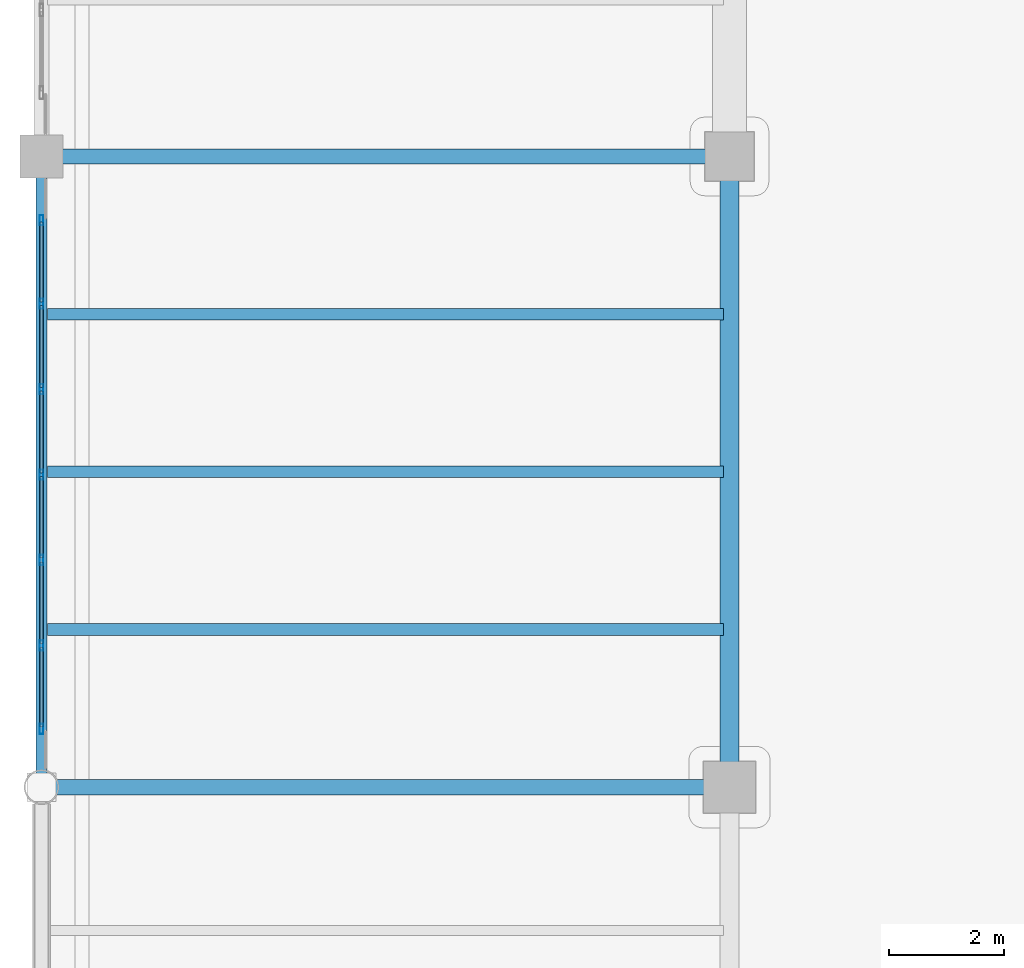
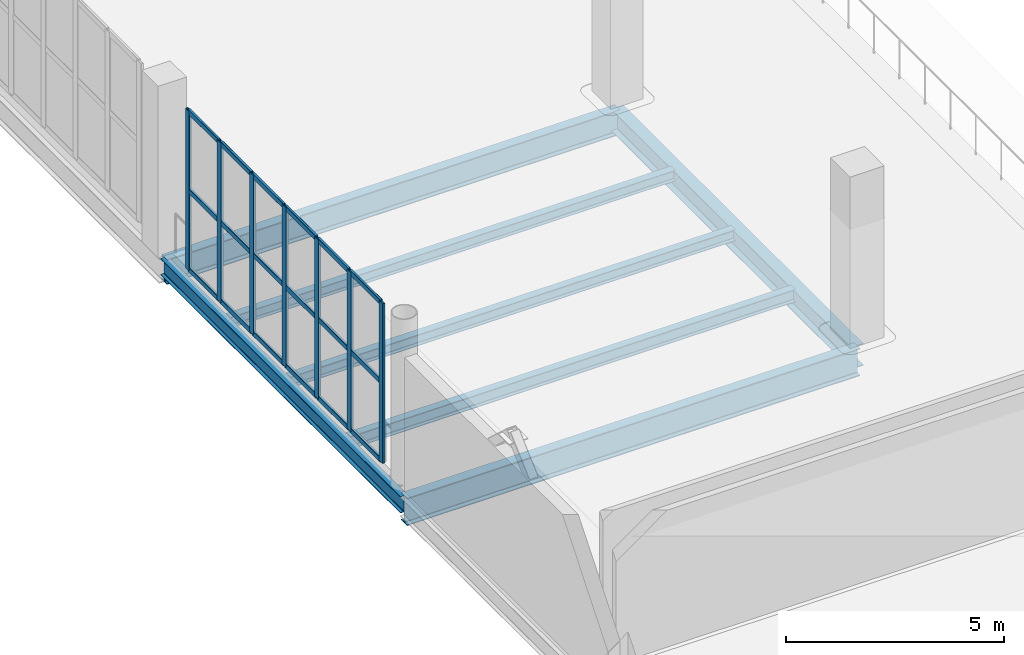
# One storey, part 21 of 136: 25 members, 7 beams, 1 element without a shape of its own.
"""IFC4 building model written with IfcOpenShell, lengths in metres."""

from ifc_helpers import new_model, si_unit, direction, frame, origin, origin_2d, place, context, subcontext, project, spatial, hollow_rectangle, i_section, extrude, material, layer, layer_set, material_profile, profile_set, type_object, element, aggregate, save


model = new_model("IFC4")

# Units and contexts
model_context = context("Model", 3, precision=1e-05, world=origin(), true_north=direction((0.0, 1.0)))
body_context = subcontext(model_context, "Body", "Model", "MODEL_VIEW")
ifc_project = project(units=[si_unit("LENGTHUNIT", "METRE"), si_unit("AREAUNIT", "SQUARE_METRE"), si_unit("VOLUMEUNIT", "CUBIC_METRE"), si_unit("PLANEANGLEUNIT", "RADIAN"), si_unit("MASSUNIT", "GRAM", prefix="KILO")], contexts=[model_context])

# Site, building, storey
site_placement = place(None, origin())
site = spatial("IfcSite", under=ifc_project, at=site_placement, CompositionType="ELEMENT")
building_placement = place(site_placement, origin())
building = spatial("IfcBuilding", under=site, at=building_placement, Name="Brinegate Civic Arena", CompositionType="ELEMENT")
storey_placement = place(building_placement, frame((0.0, 0.0, 5.39990234375)))
storey = spatial("IfcBuildingStorey", under=building, at=storey_placement, Name="L01", CompositionType="ELEMENT", Elevation=5.39990234375)

# Curtain wall, members
ifc_material_1 = material(Name="Marine grade aluminium", Category="aluminium")
ifc_layer = layer(ifc_material_1, 0.18505859375, Name="Marine grade aluminium")
ifc_layer_set = layer_set([ifc_layer], Name="Marine grade aluminium")
curtain_wall_type = type_object("IfcCurtainWallType", Name="CW-WING-GLAZED-03", PredefinedType="USERDEFINED", material=ifc_layer_set)
curtain_wall_placement = place(storey_placement, origin())
curtain_wall = element("IfcCurtainWall", 1, at=curtain_wall_placement, inside=storey, type_object=curtain_wall_type, Name="Curtain Wall CWA-012", ObjectType="GLAZED CURTAIN WALL", PredefinedType="USERDEFINED")
ifc_material_profile_1 = material_profile(ifc_material_1, hollow_rectangle(XDim=0.06494140625, YDim=0.179931640625, WallThickness=0.0048828125, InnerFilletRadius=0.00390625, OuterFilletRadius=0.008056640625, at=origin_2d()), Name="MUL65X180")
ifc_profile_set_1 = profile_set([ifc_material_profile_1], Name="Marine grade aluminium")
member_type_1 = type_object("IfcMemberType", Name="CW-MULLION-65X180", PredefinedType="MULLION", material=ifc_profile_set_1)
member_1_placement = place(storey_placement, frame((0.0, 21.013427734375, 0.0), z_axis=(0.0, 0.0, 1.0), x_axis=(-1.0, 0.0, 0.0)))
member_1 = element("IfcMember", 2, at=member_1_placement, type_object=member_type_1, Name="CWA-012 mullion 1", PredefinedType="MULLION", context=body_context, shape_type="SweptSolid", body=[
    extrude(hollow_rectangle(XDim=0.06494140625, YDim=0.179931640625, WallThickness=0.0048828125, InnerFilletRadius=0.00390625, OuterFilletRadius=0.008056640625, at=origin_2d()), origin(), (0.0, 0.0, 1.0), 4.47021484375),
])
member_2_placement = place(storey_placement, frame((0.0, 22.470947265625, 0.0), z_axis=(0.0, 0.0, 1.0), x_axis=(-1.0, 0.0, 0.0)))
member_2 = element("IfcMember", 3, at=member_2_placement, type_object=member_type_1, Name="CWA-012 mullion 2", PredefinedType="MULLION", context=body_context, shape_type="SweptSolid", body=[
    extrude(hollow_rectangle(XDim=0.06494140625, YDim=0.179931640625, WallThickness=0.0048828125, InnerFilletRadius=0.00390625, OuterFilletRadius=0.008056640625, at=origin_2d()), origin(), (0.0, 0.0, 1.0), 4.47021484375),
])
member_3_placement = place(storey_placement, frame((0.0, 23.960693359375, 0.0), z_axis=(0.0, 0.0, 1.0), x_axis=(-1.0, 0.0, 0.0)))
member_3 = element("IfcMember", 4, at=member_3_placement, type_object=member_type_1, Name="CWA-012 mullion 3", PredefinedType="MULLION", context=body_context, shape_type="SweptSolid", body=[
    extrude(hollow_rectangle(XDim=0.06494140625, YDim=0.179931640625, WallThickness=0.0048828125, InnerFilletRadius=0.00390625, OuterFilletRadius=0.008056640625, at=origin_2d()), origin(), (0.0, 0.0, 1.0), 4.47021484375),
])
member_4_placement = place(storey_placement, frame((0.0, 25.450439453125, 0.0), z_axis=(0.0, 0.0, 1.0), x_axis=(-1.0, 0.0, 0.0)))
member_4 = element("IfcMember", 5, at=member_4_placement, type_object=member_type_1, Name="CWA-012 mullion 4", PredefinedType="MULLION", context=body_context, shape_type="SweptSolid", body=[
    extrude(hollow_rectangle(XDim=0.06494140625, YDim=0.179931640625, WallThickness=0.0048828125, InnerFilletRadius=0.00390625, OuterFilletRadius=0.008056640625, at=origin_2d()), origin(), (0.0, 0.0, 1.0), 4.47021484375),
])
member_5_placement = place(storey_placement, frame((0.0, 26.9404296875, 0.0), z_axis=(0.0, 0.0, 1.0), x_axis=(-1.0, 0.0, 0.0)))
member_5 = element("IfcMember", 6, at=member_5_placement, type_object=member_type_1, Name="CWA-012 mullion 5", PredefinedType="MULLION", context=body_context, shape_type="SweptSolid", body=[
    extrude(hollow_rectangle(XDim=0.06494140625, YDim=0.179931640625, WallThickness=0.0048828125, InnerFilletRadius=0.00390625, OuterFilletRadius=0.008056640625, at=origin_2d()), origin(), (0.0, 0.0, 1.0), 4.47021484375),
])
member_6_placement = place(storey_placement, frame((0.0, 28.43017578125, 0.0), z_axis=(0.0, 0.0, 1.0), x_axis=(-1.0, 0.0, 0.0)))
member_6 = element("IfcMember", 7, at=member_6_placement, type_object=member_type_1, Name="CWA-012 mullion 6", PredefinedType="MULLION", context=body_context, shape_type="SweptSolid", body=[
    extrude(hollow_rectangle(XDim=0.06494140625, YDim=0.179931640625, WallThickness=0.0048828125, InnerFilletRadius=0.00390625, OuterFilletRadius=0.008056640625, at=origin_2d()), origin(), (0.0, 0.0, 1.0), 4.47021484375),
])
member_7_placement = place(storey_placement, frame((0.0, 29.887451171875, 0.0), z_axis=(0.0, 0.0, 1.0), x_axis=(-1.0, 0.0, 0.0)))
member_7 = element("IfcMember", 8, at=member_7_placement, type_object=member_type_1, Name="CWA-012 mullion 7", PredefinedType="MULLION", context=body_context, shape_type="SweptSolid", body=[
    extrude(hollow_rectangle(XDim=0.06494140625, YDim=0.179931640625, WallThickness=0.0048828125, InnerFilletRadius=0.00390625, OuterFilletRadius=0.008056640625, at=origin_2d()), origin(), (0.0, 0.0, 1.0), 4.47021484375),
])
ifc_material_profile_2 = material_profile(ifc_material_1, hollow_rectangle(XDim=0.06494140625, YDim=0.139892578125, WallThickness=0.0048828125, InnerFilletRadius=0.00390625, OuterFilletRadius=0.008056640625, at=origin_2d()), Name="TRN65X140")
ifc_profile_set_2 = profile_set([ifc_material_profile_2], Name="Marine grade aluminium")
member_type_2 = type_object("IfcMemberType", Name="CW-TRANSOM-65X140", PredefinedType="USERDEFINED", material=ifc_profile_set_2)
member_8_placement = place(storey_placement, frame((0.0, 21.0458984375, 0.03271484375), z_axis=(0.0, 1.0, 0.0), x_axis=(-1.0, 0.0, 0.0)))
member_8 = element("IfcMember", 9, at=member_8_placement, type_object=member_type_2, Name="CWA-012 transom 1.1", ObjectType="TRANSOM", PredefinedType="USERDEFINED", context=body_context, shape_type="SweptSolid", body=[
    extrude(hollow_rectangle(XDim=0.06494140625, YDim=0.139892578125, WallThickness=0.0048828125, InnerFilletRadius=0.00390625, OuterFilletRadius=0.008056640625, at=origin_2d()), origin(), (0.0, 0.0, 1.0), 1.392333984375),
])
member_9_placement = place(storey_placement, frame((0.0, 21.0458984375, 2.235107421875), z_axis=(0.0, 1.0, 0.0), x_axis=(-1.0, 0.0, 0.0)))
member_9 = element("IfcMember", 10, at=member_9_placement, type_object=member_type_2, Name="CWA-012 transom 1.2", ObjectType="TRANSOM", PredefinedType="USERDEFINED", context=body_context, shape_type="SweptSolid", body=[
    extrude(hollow_rectangle(XDim=0.06494140625, YDim=0.139892578125, WallThickness=0.0048828125, InnerFilletRadius=0.00390625, OuterFilletRadius=0.008056640625, at=origin_2d()), origin(), (0.0, 0.0, 1.0), 1.392333984375),
])
member_10_placement = place(storey_placement, frame((0.0, 21.0458984375, 4.4375), z_axis=(0.0, 1.0, 0.0), x_axis=(-1.0, 0.0, 0.0)))
member_10 = element("IfcMember", 11, at=member_10_placement, type_object=member_type_2, Name="CWA-012 transom 1.3", ObjectType="TRANSOM", PredefinedType="USERDEFINED", context=body_context, shape_type="SweptSolid", body=[
    extrude(hollow_rectangle(XDim=0.06494140625, YDim=0.139892578125, WallThickness=0.0048828125, InnerFilletRadius=0.00390625, OuterFilletRadius=0.008056640625, at=origin_2d()), origin(), (0.0, 0.0, 1.0), 1.392333984375),
])
member_11_placement = place(storey_placement, frame((0.0, 22.50341796875, 0.03271484375), z_axis=(0.0, 1.0, 0.0), x_axis=(-1.0, 0.0, 0.0)))
member_11 = element("IfcMember", 12, at=member_11_placement, type_object=member_type_2, Name="CWA-012 transom 2.1", ObjectType="TRANSOM", PredefinedType="USERDEFINED", context=body_context, shape_type="SweptSolid", body=[
    extrude(hollow_rectangle(XDim=0.06494140625, YDim=0.139892578125, WallThickness=0.0048828125, InnerFilletRadius=0.00390625, OuterFilletRadius=0.008056640625, at=origin_2d()), origin(), (0.0, 0.0, 1.0), 1.4248046875),
])
member_12_placement = place(storey_placement, frame((0.0, 22.50341796875, 2.235107421875), z_axis=(0.0, 1.0, 0.0), x_axis=(-1.0, 0.0, 0.0)))
member_12 = element("IfcMember", 13, at=member_12_placement, type_object=member_type_2, Name="CWA-012 transom 2.2", ObjectType="TRANSOM", PredefinedType="USERDEFINED", context=body_context, shape_type="SweptSolid", body=[
    extrude(hollow_rectangle(XDim=0.06494140625, YDim=0.139892578125, WallThickness=0.0048828125, InnerFilletRadius=0.00390625, OuterFilletRadius=0.008056640625, at=origin_2d()), origin(), (0.0, 0.0, 1.0), 1.4248046875),
])
member_13_placement = place(storey_placement, frame((0.0, 22.50341796875, 4.4375), z_axis=(0.0, 1.0, 0.0), x_axis=(-1.0, 0.0, 0.0)))
member_13 = element("IfcMember", 14, at=member_13_placement, type_object=member_type_2, Name="CWA-012 transom 2.3", ObjectType="TRANSOM", PredefinedType="USERDEFINED", context=body_context, shape_type="SweptSolid", body=[
    extrude(hollow_rectangle(XDim=0.06494140625, YDim=0.139892578125, WallThickness=0.0048828125, InnerFilletRadius=0.00390625, OuterFilletRadius=0.008056640625, at=origin_2d()), origin(), (0.0, 0.0, 1.0), 1.4248046875),
])
member_14_placement = place(storey_placement, frame((0.0, 23.9931640625, 0.03271484375), z_axis=(0.0, 1.0, 0.0), x_axis=(-1.0, 0.0, 0.0)))
member_14 = element("IfcMember", 15, at=member_14_placement, type_object=member_type_2, Name="CWA-012 transom 3.1", ObjectType="TRANSOM", PredefinedType="USERDEFINED", context=body_context, shape_type="SweptSolid", body=[
    extrude(hollow_rectangle(XDim=0.06494140625, YDim=0.139892578125, WallThickness=0.0048828125, InnerFilletRadius=0.00390625, OuterFilletRadius=0.008056640625, at=origin_2d()), origin(), (0.0, 0.0, 1.0), 1.4248046875),
])
member_15_placement = place(storey_placement, frame((0.0, 23.9931640625, 2.235107421875), z_axis=(0.0, 1.0, 0.0), x_axis=(-1.0, 0.0, 0.0)))
member_15 = element("IfcMember", 16, at=member_15_placement, type_object=member_type_2, Name="CWA-012 transom 3.2", ObjectType="TRANSOM", PredefinedType="USERDEFINED", context=body_context, shape_type="SweptSolid", body=[
    extrude(hollow_rectangle(XDim=0.06494140625, YDim=0.139892578125, WallThickness=0.0048828125, InnerFilletRadius=0.00390625, OuterFilletRadius=0.008056640625, at=origin_2d()), origin(), (0.0, 0.0, 1.0), 1.4248046875),
])
member_16_placement = place(storey_placement, frame((0.0, 23.9931640625, 4.4375), z_axis=(0.0, 1.0, 0.0), x_axis=(-1.0, 0.0, 0.0)))
member_16 = element("IfcMember", 17, at=member_16_placement, type_object=member_type_2, Name="CWA-012 transom 3.3", ObjectType="TRANSOM", PredefinedType="USERDEFINED", context=body_context, shape_type="SweptSolid", body=[
    extrude(hollow_rectangle(XDim=0.06494140625, YDim=0.139892578125, WallThickness=0.0048828125, InnerFilletRadius=0.00390625, OuterFilletRadius=0.008056640625, at=origin_2d()), origin(), (0.0, 0.0, 1.0), 1.4248046875),
])
member_17_placement = place(storey_placement, frame((0.0, 25.48291015625, 0.03271484375), z_axis=(0.0, 1.0, 0.0), x_axis=(-1.0, 0.0, 0.0)))
member_17 = element("IfcMember", 18, at=member_17_placement, type_object=member_type_2, Name="CWA-012 transom 4.1", ObjectType="TRANSOM", PredefinedType="USERDEFINED", context=body_context, shape_type="SweptSolid", body=[
    extrude(hollow_rectangle(XDim=0.06494140625, YDim=0.139892578125, WallThickness=0.0048828125, InnerFilletRadius=0.00390625, OuterFilletRadius=0.008056640625, at=origin_2d()), origin(), (0.0, 0.0, 1.0), 1.4248046875),
])
member_18_placement = place(storey_placement, frame((0.0, 25.48291015625, 2.235107421875), z_axis=(0.0, 1.0, 0.0), x_axis=(-1.0, 0.0, 0.0)))
member_18 = element("IfcMember", 19, at=member_18_placement, type_object=member_type_2, Name="CWA-012 transom 4.2", ObjectType="TRANSOM", PredefinedType="USERDEFINED", context=body_context, shape_type="SweptSolid", body=[
    extrude(hollow_rectangle(XDim=0.06494140625, YDim=0.139892578125, WallThickness=0.0048828125, InnerFilletRadius=0.00390625, OuterFilletRadius=0.008056640625, at=origin_2d()), origin(), (0.0, 0.0, 1.0), 1.4248046875),
])
member_19_placement = place(storey_placement, frame((0.0, 25.48291015625, 4.4375), z_axis=(0.0, 1.0, 0.0), x_axis=(-1.0, 0.0, 0.0)))
member_19 = element("IfcMember", 20, at=member_19_placement, type_object=member_type_2, Name="CWA-012 transom 4.3", ObjectType="TRANSOM", PredefinedType="USERDEFINED", context=body_context, shape_type="SweptSolid", body=[
    extrude(hollow_rectangle(XDim=0.06494140625, YDim=0.139892578125, WallThickness=0.0048828125, InnerFilletRadius=0.00390625, OuterFilletRadius=0.008056640625, at=origin_2d()), origin(), (0.0, 0.0, 1.0), 1.4248046875),
])
member_20_placement = place(storey_placement, frame((0.0, 26.972900390625, 0.03271484375), z_axis=(0.0, 1.0, 0.0), x_axis=(-1.0, 0.0, 0.0)))
member_20 = element("IfcMember", 21, at=member_20_placement, type_object=member_type_2, Name="CWA-012 transom 5.1", ObjectType="TRANSOM", PredefinedType="USERDEFINED", context=body_context, shape_type="SweptSolid", body=[
    extrude(hollow_rectangle(XDim=0.06494140625, YDim=0.139892578125, WallThickness=0.0048828125, InnerFilletRadius=0.00390625, OuterFilletRadius=0.008056640625, at=origin_2d()), origin(), (0.0, 0.0, 1.0), 1.4248046875),
])
member_21_placement = place(storey_placement, frame((0.0, 26.972900390625, 2.235107421875), z_axis=(0.0, 1.0, 0.0), x_axis=(-1.0, 0.0, 0.0)))
member_21 = element("IfcMember", 22, at=member_21_placement, type_object=member_type_2, Name="CWA-012 transom 5.2", ObjectType="TRANSOM", PredefinedType="USERDEFINED", context=body_context, shape_type="SweptSolid", body=[
    extrude(hollow_rectangle(XDim=0.06494140625, YDim=0.139892578125, WallThickness=0.0048828125, InnerFilletRadius=0.00390625, OuterFilletRadius=0.008056640625, at=origin_2d()), origin(), (0.0, 0.0, 1.0), 1.4248046875),
])
member_22_placement = place(storey_placement, frame((0.0, 26.972900390625, 4.4375), z_axis=(0.0, 1.0, 0.0), x_axis=(-1.0, 0.0, 0.0)))
member_22 = element("IfcMember", 23, at=member_22_placement, type_object=member_type_2, Name="CWA-012 transom 5.3", ObjectType="TRANSOM", PredefinedType="USERDEFINED", context=body_context, shape_type="SweptSolid", body=[
    extrude(hollow_rectangle(XDim=0.06494140625, YDim=0.139892578125, WallThickness=0.0048828125, InnerFilletRadius=0.00390625, OuterFilletRadius=0.008056640625, at=origin_2d()), origin(), (0.0, 0.0, 1.0), 1.4248046875),
])
member_23_placement = place(storey_placement, frame((0.0, 28.462646484375, 0.03271484375), z_axis=(0.0, 1.0, 0.0), x_axis=(-1.0, 0.0, 0.0)))
member_23 = element("IfcMember", 24, at=member_23_placement, type_object=member_type_2, Name="CWA-012 transom 6.1", ObjectType="TRANSOM", PredefinedType="USERDEFINED", context=body_context, shape_type="SweptSolid", body=[
    extrude(hollow_rectangle(XDim=0.06494140625, YDim=0.139892578125, WallThickness=0.0048828125, InnerFilletRadius=0.00390625, OuterFilletRadius=0.008056640625, at=origin_2d()), origin(), (0.0, 0.0, 1.0), 1.392333984375),
])
member_24_placement = place(storey_placement, frame((0.0, 28.462646484375, 2.235107421875), z_axis=(0.0, 1.0, 0.0), x_axis=(-1.0, 0.0, 0.0)))
member_24 = element("IfcMember", 25, at=member_24_placement, type_object=member_type_2, Name="CWA-012 transom 6.2", ObjectType="TRANSOM", PredefinedType="USERDEFINED", context=body_context, shape_type="SweptSolid", body=[
    extrude(hollow_rectangle(XDim=0.06494140625, YDim=0.139892578125, WallThickness=0.0048828125, InnerFilletRadius=0.00390625, OuterFilletRadius=0.008056640625, at=origin_2d()), origin(), (0.0, 0.0, 1.0), 1.392333984375),
])
member_25_placement = place(storey_placement, frame((0.0, 28.462646484375, 4.4375), z_axis=(0.0, 1.0, 0.0), x_axis=(-1.0, 0.0, 0.0)))
member_25 = element("IfcMember", 26, at=member_25_placement, type_object=member_type_2, Name="CWA-012 transom 6.3", ObjectType="TRANSOM", PredefinedType="USERDEFINED", context=body_context, shape_type="SweptSolid", body=[
    extrude(hollow_rectangle(XDim=0.06494140625, YDim=0.139892578125, WallThickness=0.0048828125, InnerFilletRadius=0.00390625, OuterFilletRadius=0.008056640625, at=origin_2d()), origin(), (0.0, 0.0, 1.0), 1.392333984375),
])
aggregate(curtain_wall, [member_1, member_2, member_3, member_4, member_5, member_6, member_7, member_8, member_9, member_10, member_11, member_12, member_13, member_14, member_15, member_16, member_17, member_18, member_19, member_20, member_21, member_22, member_23, member_24, member_25])

# Beams
ifc_material_2 = material(Name="Steel S355", Category="steel")
ifc_material_profile_3 = material_profile(ifc_material_2, i_section(OverallWidth=0.324951171875, OverallDepth=0.615966796875, WebThickness=0.013916015625, FlangeThickness=0.02197265625, FilletRadius=0.01611328125, at=origin_2d()), Name="W610X174")
ifc_profile_set_3 = profile_set([ifc_material_profile_3], Name="Steel S355")
beam_type_1 = type_object("IfcBeamType", Name="GIRDER-W610X174", PredefinedType="BEAM", material=ifc_profile_set_3)
beam_1_placement = place(storey_placement, frame((12.0, 20.0, -0.64794921875), z_axis=(0.0, 1.0, 0.0), x_axis=(-1.0, 0.0, 0.0)))
element("IfcBeam", 27, at=beam_1_placement, inside=storey, type_object=beam_type_1, Name="Floor Girder BM-L01-GY-01-02", PredefinedType="BEAM", context=body_context, shape_type="SweptSolid", body=[
    extrude(i_section(OverallWidth=0.324951171875, OverallDepth=0.615966796875, WebThickness=0.013916015625, FlangeThickness=0.02197265625, FilletRadius=0.01611328125, at=origin_2d()), origin(), (0.0, 0.0, 1.0), 11.0),
])
ifc_material_profile_4 = material_profile(ifc_material_2, i_section(OverallWidth=0.256103515625, OverallDepth=0.693115234375, WebThickness=0.014892578125, FlangeThickness=0.02392578125, FilletRadius=0.01806640625, at=origin_2d()), Name="W690X170")
ifc_profile_set_4 = profile_set([ifc_material_profile_4], Name="Steel S355")
beam_type_2 = type_object("IfcBeamType", Name="GIRDER-W690X170", PredefinedType="BEAM", material=ifc_profile_set_4)
beam_2_placement = place(storey_placement, frame((0.0, 31.0, -0.685791015625), z_axis=(1.0, 0.0, 0.0), x_axis=(0.0, 1.0, 0.0)))
element("IfcBeam", 28, at=beam_2_placement, inside=storey, type_object=beam_type_2, Name="Floor Girder BM-L01-GX-00-03", PredefinedType="BEAM", context=body_context, shape_type="SweptSolid", body=[
    extrude(i_section(OverallWidth=0.256103515625, OverallDepth=0.693115234375, WebThickness=0.014892578125, FlangeThickness=0.02392578125, FilletRadius=0.01806640625, at=origin_2d()), origin(), (0.0, 0.0, 1.0), 12.0),
])
ifc_material_profile_5 = material_profile(ifc_material_2, i_section(OverallWidth=0.26806640625, OverallDepth=0.77001953125, WebThickness=0.01611328125, FlangeThickness=0.02490234375, FilletRadius=0.02001953125, at=origin_2d()), Name="W760X196")
ifc_profile_set_5 = profile_set([ifc_material_profile_5], Name="Steel S355")
beam_type_3 = type_object("IfcBeamType", Name="GIRDER-W760X196", PredefinedType="BEAM", material=ifc_profile_set_5)
beam_3_placement = place(storey_placement, frame((0.0, 20.0, -0.724853515625), z_axis=(1.0, 0.0, 0.0), x_axis=(0.0, 1.0, 0.0)))
element("IfcBeam", 29, at=beam_3_placement, inside=storey, type_object=beam_type_3, Name="Floor Girder BM-L01-GX-00-02", PredefinedType="BEAM", context=body_context, shape_type="SweptSolid", body=[
    extrude(i_section(OverallWidth=0.26806640625, OverallDepth=0.77001953125, WebThickness=0.01611328125, FlangeThickness=0.02490234375, FilletRadius=0.02001953125, at=origin_2d()), origin(), (0.0, 0.0, 1.0), 12.0),
])
ifc_material_profile_6 = material_profile(ifc_material_2, i_section(OverallWidth=0.202880859375, OverallDepth=0.302978515625, WebThickness=0.008056640625, FlangeThickness=0.012939453125, FilletRadius=0.012939453125, at=origin_2d()), Name="W310X60")
ifc_profile_set_6 = profile_set([ifc_material_profile_6], Name="Steel S355")
beam_type_4 = type_object("IfcBeamType", Name="JOIST-W310X60", PredefinedType="JOIST", material=ifc_profile_set_6)
beam_4_placement = place(storey_placement, frame((0.10595703125, 28.25, -0.490966796875), z_axis=(1.0, 0.0, 0.0), x_axis=(0.0, 1.0, 0.0)))
element("IfcBeam", 30, at=beam_4_placement, inside=storey, type_object=beam_type_4, Name="Secondary Joist BM-L01-JX-00-02-3", PredefinedType="JOIST", context=body_context, shape_type="SweptSolid", body=[
    extrude(i_section(OverallWidth=0.202880859375, OverallDepth=0.302978515625, WebThickness=0.008056640625, FlangeThickness=0.012939453125, FilletRadius=0.012939453125, at=origin_2d()), origin(), (0.0, 0.0, 1.0), 11.7880859375),
])
ifc_material_profile_7 = material_profile(ifc_material_2, i_section(OverallWidth=0.205078125, OverallDepth=0.31005859375, WebThickness=0.009033203125, FlangeThickness=0.01611328125, FilletRadius=0.012939453125, at=origin_2d()), Name="W310X74")
ifc_profile_set_7 = profile_set([ifc_material_profile_7], Name="Steel S355")
beam_type_5 = type_object("IfcBeamType", Name="JOIST-W310X74", PredefinedType="JOIST", material=ifc_profile_set_7)
beam_5_placement = place(storey_placement, frame((0.10595703125, 25.5, -0.494873046875), z_axis=(1.0, 0.0, 0.0), x_axis=(0.0, 1.0, 0.0)))
element("IfcBeam", 31, at=beam_5_placement, inside=storey, type_object=beam_type_5, Name="Secondary Joist BM-L01-JX-00-02-2", PredefinedType="JOIST", context=body_context, shape_type="SweptSolid", body=[
    extrude(i_section(OverallWidth=0.205078125, OverallDepth=0.31005859375, WebThickness=0.009033203125, FlangeThickness=0.01611328125, FilletRadius=0.012939453125, at=origin_2d()), origin(), (0.0, 0.0, 1.0), 11.7880859375),
])
ifc_material_profile_8 = material_profile(ifc_material_2, i_section(OverallWidth=0.205078125, OverallDepth=0.35400390625, WebThickness=0.009033203125, FlangeThickness=0.01708984375, FilletRadius=0.013916015625, at=origin_2d()), Name="W360X79")
ifc_profile_set_8 = profile_set([ifc_material_profile_8], Name="Steel S355")
beam_type_6 = type_object("IfcBeamType", Name="JOIST-W360X79", PredefinedType="JOIST", material=ifc_profile_set_8)
beam_6_placement = place(storey_placement, frame((0.10595703125, 22.75, -0.516845703125), z_axis=(1.0, 0.0, 0.0), x_axis=(0.0, 1.0, 0.0)))
element("IfcBeam", 32, at=beam_6_placement, inside=storey, type_object=beam_type_6, Name="Secondary Joist BM-L01-JX-00-02-1", PredefinedType="JOIST", context=body_context, shape_type="SweptSolid", body=[
    extrude(i_section(OverallWidth=0.205078125, OverallDepth=0.35400390625, WebThickness=0.009033203125, FlangeThickness=0.01708984375, FilletRadius=0.013916015625, at=origin_2d()), origin(), (0.0, 0.0, 1.0), 11.7880859375),
])
ifc_material_profile_9 = material_profile(ifc_material_2, i_section(OverallWidth=0.193115234375, OverallDepth=0.466064453125, WebThickness=0.010986328125, FlangeThickness=0.01904296875, FilletRadius=0.014892578125, at=origin_2d()), Name="W460X97")
ifc_profile_set_9 = profile_set([ifc_material_profile_9], Name="Steel S355")
beam_type_7 = type_object("IfcBeamType", Name="SPANDREL-W460X97", PredefinedType="SPANDREL", material=ifc_profile_set_9)
beam_7_placement = place(storey_placement, frame((0.0, 20.0, -0.572998046875), z_axis=(0.0, 1.0, 0.0), x_axis=(-1.0, 0.0, 0.0)))
element("IfcBeam", 33, at=beam_7_placement, inside=storey, type_object=beam_type_7, Name="Floor Girder BM-L01-GY-00-02", PredefinedType="SPANDREL", context=body_context, shape_type="SweptSolid", body=[
    extrude(i_section(OverallWidth=0.193115234375, OverallDepth=0.466064453125, WebThickness=0.010986328125, FlangeThickness=0.01904296875, FilletRadius=0.014892578125, at=origin_2d()), origin(), (0.0, 0.0, 1.0), 11.0),
])

save(model, "model.ifc")
